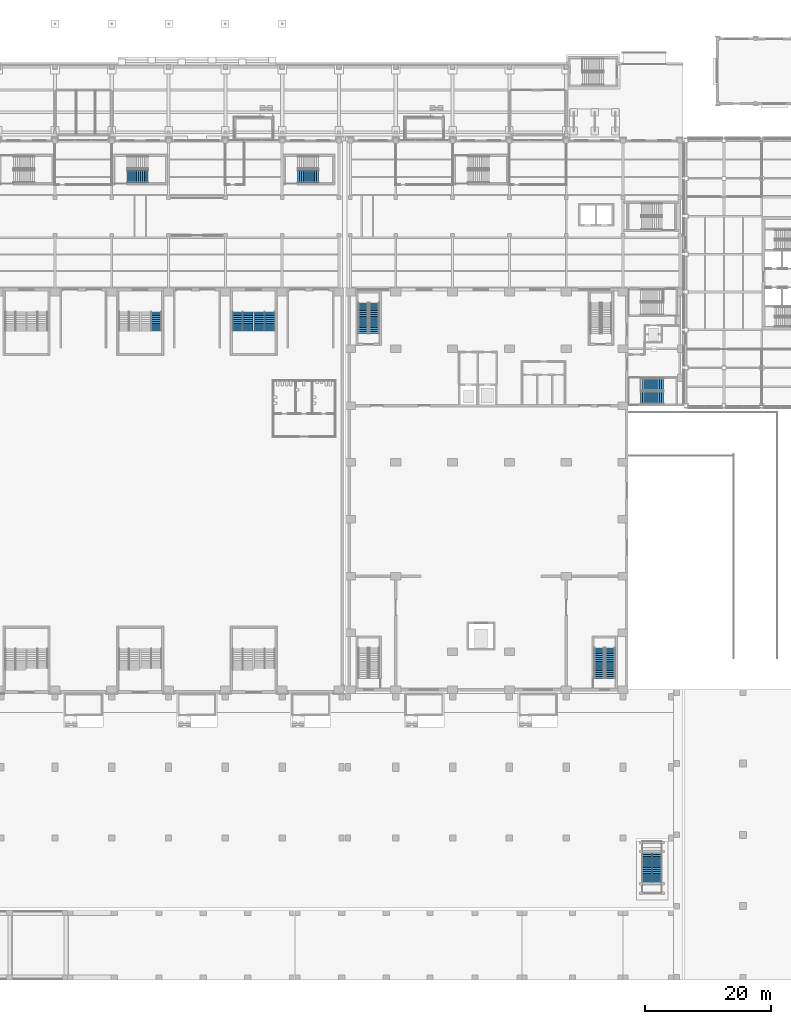
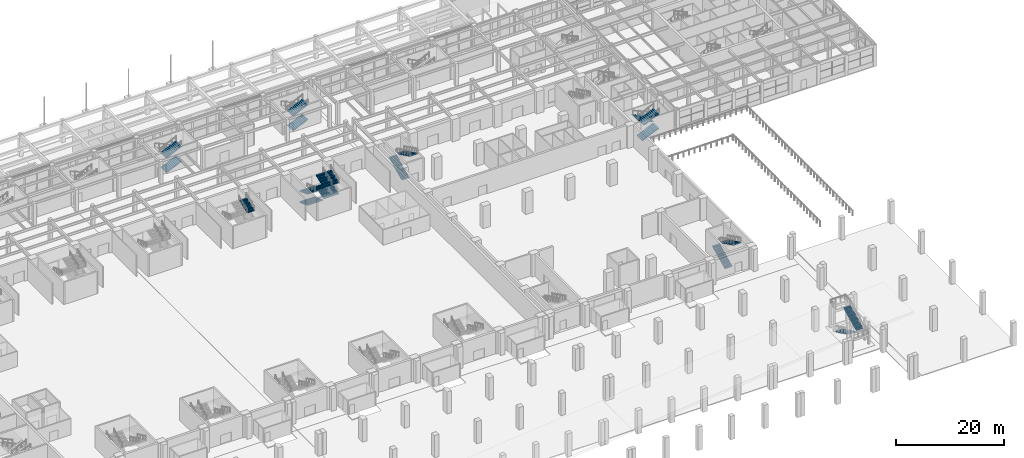
# One storey, part 58 of 77: 22 stair flights, 9 elements without a shape of their own.
"""IFC4 building model written with IfcOpenShell, lengths in metres."""

from ifc_helpers import new_model, si_unit, direction, frame, origin, place, context, subcontext, project, spatial, polyline, outline, extrude, material, type_object, element, aggregate, save


model = new_model("IFC4")

# Units and contexts
model_context = context("Model", 3, precision=1e-05, world=origin(), true_north=direction((0.0, 1.0)))
body_context = subcontext(model_context, "Body", "Model", "MODEL_VIEW")
ifc_project = project(units=[si_unit("LENGTHUNIT", "METRE"), si_unit("AREAUNIT", "SQUARE_METRE"), si_unit("VOLUMEUNIT", "CUBIC_METRE"), si_unit("PLANEANGLEUNIT", "RADIAN"), si_unit("MASSUNIT", "GRAM", prefix="KILO")], contexts=[model_context])

# Site, building, storey
site_placement = place(None, origin())
site = spatial("IfcSite", under=ifc_project, at=site_placement, CompositionType="ELEMENT")
building_placement = place(site_placement, origin())
building = spatial("IfcBuilding", under=site, at=building_placement, Name="Aravalli Gate Trade Fair Centre", CompositionType="ELEMENT")
storey_placement = place(building_placement, origin())
storey = spatial("IfcBuildingStorey", under=building, at=storey_placement, Name="L00", CompositionType="ELEMENT", Elevation=0.0)

# Stair, stair flights
ifc_material_1 = material(Name="Concrete M30", Category="concrete")
stair_type_1 = type_object("IfcStairType", Name="Concourse stair, 2000 wide", PredefinedType="HALF_TURN_STAIR", material=ifc_material_1)
stair_1_placement = place(storey_placement, origin())
stair_1 = element("IfcStair", 1, at=stair_1_placement, inside=storey, type_object=stair_type_1, Name="Stair XC L00", PredefinedType="HALF_TURN_STAIR")
stair_flight_type_1 = type_object("IfcStairFlightType", Name="Concourse stair flight 2000", PredefinedType="STRAIGHT", material=ifc_material_1)
stair_flight_1_placement = place(storey_placement, frame((71.449951171875, 127.300048828125, 0.0), z_axis=(0.0, 0.0, 1.0), x_axis=(1.0, 0.0, 0.0)))
stair_flight_1 = element("IfcStairFlight", 2, at=stair_flight_1_placement, type_object=stair_flight_type_1, Name="STXC-L00 flight 1", NumberOfRisers=12, NumberOfTreads=11, PredefinedType="STRAIGHT", RiserHeight=0.138888889, TreadLength=0.3, context=body_context, shape_type="SweptSolid", body=[
    extrude(outline(polyline([(0.0, 0.0), (0.0, 0.138916015625), (0.300048828125, 0.138916015625), (0.300048828125, 0.27783203125), (0.60009765625, 0.27783203125), (0.60009765625, 0.416748046875), (0.89990234375, 0.416748046875), (0.89990234375, 0.5556640625), (1.199951171875, 0.5556640625), (1.199951171875, 0.6943359375), (1.5, 0.6943359375), (1.5, 0.833251953125), (1.800048828125, 0.833251953125), (1.800048828125, 0.97216796875), (2.10009765625, 0.97216796875), (2.10009765625, 1.111083984375), (2.39990234375, 1.111083984375), (2.39990234375, 1.25), (2.699951171875, 1.25), (2.699951171875, 1.388916015625), (3.0, 1.388916015625), (3.0, 1.52783203125), (3.300048828125, 1.52783203125), (3.300048828125, 1.666748046875), (3.300048828125, 1.307373046875), (0.475830078125, 0.0), (0.0, 0.0)])), frame((0.0, 1.0, 0.0), z_axis=(0.0, -1.0, 0.0), x_axis=(1.0, 0.0, 0.0)), (0.0, 0.0, 1.0), 2.0),
])
stair_flight_2_placement = place(storey_placement, frame((71.449951171875, 127.300048828125, 3.333251953125), z_axis=(0.0, 0.0, 1.0), x_axis=(1.0, 0.0, 0.0)))
stair_flight_2 = element("IfcStairFlight", 3, at=stair_flight_2_placement, type_object=stair_flight_type_1, Name="STXC-L00 flight 3", NumberOfRisers=12, NumberOfTreads=11, PredefinedType="STRAIGHT", RiserHeight=0.138888889, TreadLength=0.3, context=body_context, shape_type="SweptSolid", body=[
    extrude(outline(polyline([(0.0, 0.0), (0.0, 0.138916015625), (0.300048828125, 0.138916015625), (0.300048828125, 0.27783203125), (0.60009765625, 0.27783203125), (0.60009765625, 0.416748046875), (0.89990234375, 0.416748046875), (0.89990234375, 0.5556640625), (1.199951171875, 0.5556640625), (1.199951171875, 0.6943359375), (1.5, 0.6943359375), (1.5, 0.833251953125), (1.800048828125, 0.833251953125), (1.800048828125, 0.97216796875), (2.10009765625, 0.97216796875), (2.10009765625, 1.111083984375), (2.39990234375, 1.111083984375), (2.39990234375, 1.25), (2.699951171875, 1.25), (2.699951171875, 1.388916015625), (3.0, 1.388916015625), (3.0, 1.52783203125), (3.300048828125, 1.52783203125), (3.300048828125, 1.666748046875), (3.300048828125, 1.307373046875), (0.475830078125, 0.0), (0.0, 0.0)])), frame((0.0, 1.0, 0.0), z_axis=(0.0, -1.0, 0.0), x_axis=(1.0, 0.0, 0.0)), (0.0, 0.0, 1.0), 2.0),
])
aggregate(stair_1, [stair_flight_1, stair_flight_2])

stair_2_placement = place(storey_placement, origin())
stair_2 = element("IfcStair", 4, at=stair_2_placement, inside=storey, type_object=stair_type_1, Name="Stair XD L00", PredefinedType="HALF_TURN_STAIR")
stair_flight_3_placement = place(storey_placement, frame((98.449951171875, 127.300048828125, 0.0), z_axis=(0.0, 0.0, 1.0), x_axis=(1.0, 0.0, 0.0)))
stair_flight_3 = element("IfcStairFlight", 5, at=stair_flight_3_placement, type_object=stair_flight_type_1, Name="STXD-L00 flight 1", NumberOfRisers=12, NumberOfTreads=11, PredefinedType="STRAIGHT", RiserHeight=0.138888889, TreadLength=0.3, context=body_context, shape_type="SweptSolid", body=[
    extrude(outline(polyline([(0.0, 0.0), (0.0, 0.138916015625), (0.300048828125, 0.138916015625), (0.300048828125, 0.27783203125), (0.60009765625, 0.27783203125), (0.60009765625, 0.416748046875), (0.89990234375, 0.416748046875), (0.89990234375, 0.5556640625), (1.199951171875, 0.5556640625), (1.199951171875, 0.6943359375), (1.5, 0.6943359375), (1.5, 0.833251953125), (1.800048828125, 0.833251953125), (1.800048828125, 0.97216796875), (2.10009765625, 0.97216796875), (2.10009765625, 1.111083984375), (2.39990234375, 1.111083984375), (2.39990234375, 1.25), (2.699951171875, 1.25), (2.699951171875, 1.388916015625), (3.0, 1.388916015625), (3.0, 1.52783203125), (3.300048828125, 1.52783203125), (3.300048828125, 1.666748046875), (3.300048828125, 1.307373046875), (0.475830078125, 0.0), (0.0, 0.0)])), frame((0.0, 1.0, 0.0), z_axis=(0.0, -1.0, 0.0), x_axis=(1.0, 0.0, 0.0)), (0.0, 0.0, 1.0), 2.0),
])
stair_flight_4_placement = place(storey_placement, frame((98.449951171875, 127.300048828125, 3.333251953125), z_axis=(0.0, 0.0, 1.0), x_axis=(1.0, 0.0, 0.0)))
stair_flight_4 = element("IfcStairFlight", 6, at=stair_flight_4_placement, type_object=stair_flight_type_1, Name="STXD-L00 flight 3", NumberOfRisers=12, NumberOfTreads=11, PredefinedType="STRAIGHT", RiserHeight=0.138888889, TreadLength=0.3, context=body_context, shape_type="SweptSolid", body=[
    extrude(outline(polyline([(0.0, 0.0), (0.0, 0.138916015625), (0.300048828125, 0.138916015625), (0.300048828125, 0.27783203125), (0.60009765625, 0.27783203125), (0.60009765625, 0.416748046875), (0.89990234375, 0.416748046875), (0.89990234375, 0.5556640625), (1.199951171875, 0.5556640625), (1.199951171875, 0.6943359375), (1.5, 0.6943359375), (1.5, 0.833251953125), (1.800048828125, 0.833251953125), (1.800048828125, 0.97216796875), (2.10009765625, 0.97216796875), (2.10009765625, 1.111083984375), (2.39990234375, 1.111083984375), (2.39990234375, 1.25), (2.699951171875, 1.25), (2.699951171875, 1.388916015625), (3.0, 1.388916015625), (3.0, 1.52783203125), (3.300048828125, 1.52783203125), (3.300048828125, 1.666748046875), (3.300048828125, 1.307373046875), (0.475830078125, 0.0), (0.0, 0.0)])), frame((0.0, 1.0, 0.0), z_axis=(0.0, -1.0, 0.0), x_axis=(1.0, 0.0, 0.0)), (0.0, 0.0, 1.0), 2.0),
])
aggregate(stair_2, [stair_flight_3, stair_flight_4])

ifc_material_2 = material(Name="Concrete M45", Category="concrete")
stair_type_2 = type_object("IfcStairType", Name="Congress exit stair", PredefinedType="HALF_TURN_STAIR", material=ifc_material_2)
stair_3_placement = place(storey_placement, origin())
stair_3 = element("IfcStair", 7, at=stair_3_placement, inside=storey, type_object=stair_type_2, Name="Stage Stair East L00", PredefinedType="HALF_TURN_STAIR")
stair_flight_type_2 = type_object("IfcStairFlightType", Name="Congress exit stair flight", PredefinedType="STRAIGHT", material=ifc_material_2)
stair_flight_5_placement = place(storey_placement, frame((146.199951171875, 47.800048828125, 0.0), z_axis=(0.0, 0.0, 1.0), x_axis=(0.0, 1.0, 0.0)))
stair_flight_5 = element("IfcStairFlight", 8, at=stair_flight_5_placement, type_object=stair_flight_type_2, Name="GX2 flight 1", NumberOfRisers=17, NumberOfTreads=16, PredefinedType="STRAIGHT", RiserHeight=0.147058824, TreadLength=0.3, context=body_context, shape_type="SweptSolid", body=[
    extrude(outline(polyline([(0.0, 0.0), (0.0, 0.14697265625), (0.300048828125, 0.14697265625), (0.300048828125, 0.294189453125), (0.60009765625, 0.294189453125), (0.60009765625, 0.441162109375), (0.89990234375, 0.441162109375), (0.89990234375, 0.588134765625), (1.199951171875, 0.588134765625), (1.199951171875, 0.7353515625), (1.5, 0.7353515625), (1.5, 0.88232421875), (1.800048828125, 0.88232421875), (1.800048828125, 1.029296875), (2.10009765625, 1.029296875), (2.10009765625, 1.176513671875), (2.39990234375, 1.176513671875), (2.39990234375, 1.323486328125), (2.699951171875, 1.323486328125), (2.699951171875, 1.470703125), (3.0, 1.470703125), (3.0, 1.61767578125), (3.300048828125, 1.61767578125), (3.300048828125, 1.7646484375), (3.60009765625, 1.7646484375), (3.60009765625, 1.911865234375), (3.89990234375, 1.911865234375), (3.89990234375, 2.058837890625), (4.199951171875, 2.058837890625), (4.199951171875, 2.205810546875), (4.5, 2.205810546875), (4.5, 2.35302734375), (4.800048828125, 2.35302734375), (4.800048828125, 2.5), (4.800048828125, 2.18603515625), (0.340576171875, 0.0), (0.0, 0.0)])), frame((0.0, 0.800048828125, 0.0), z_axis=(0.0, -1.0, 0.0), x_axis=(1.0, 0.0, 0.0)), (0.0, 0.0, 1.0), 1.60009765625),
])
stair_flight_6_placement = place(storey_placement, frame((148.0, 52.60009765625, 2.5), z_axis=(0.0, 0.0, 1.0), x_axis=(0.0, -1.0, 0.0)))
stair_flight_6 = element("IfcStairFlight", 9, at=stair_flight_6_placement, type_object=stair_flight_type_2, Name="GX2 flight 2", NumberOfRisers=17, NumberOfTreads=16, PredefinedType="STRAIGHT", RiserHeight=0.147058824, TreadLength=0.3, context=body_context, shape_type="SweptSolid", body=[
    extrude(outline(polyline([(0.0, 0.0), (0.0, 0.14697265625), (0.300048828125, 0.14697265625), (0.300048828125, 0.294189453125), (0.60009765625, 0.294189453125), (0.60009765625, 0.441162109375), (0.89990234375, 0.441162109375), (0.89990234375, 0.588134765625), (1.199951171875, 0.588134765625), (1.199951171875, 0.7353515625), (1.5, 0.7353515625), (1.5, 0.88232421875), (1.800048828125, 0.88232421875), (1.800048828125, 1.029296875), (2.10009765625, 1.029296875), (2.10009765625, 1.176513671875), (2.39990234375, 1.176513671875), (2.39990234375, 1.323486328125), (2.699951171875, 1.323486328125), (2.699951171875, 1.470703125), (3.0, 1.470703125), (3.0, 1.61767578125), (3.300048828125, 1.61767578125), (3.300048828125, 1.7646484375), (3.60009765625, 1.7646484375), (3.60009765625, 1.911865234375), (3.89990234375, 1.911865234375), (3.89990234375, 2.058837890625), (4.199951171875, 2.058837890625), (4.199951171875, 2.205810546875), (4.5, 2.205810546875), (4.5, 2.35302734375), (4.800048828125, 2.35302734375), (4.800048828125, 2.5), (4.800048828125, 2.18603515625), (0.340576171875, 0.0), (0.0, 0.0)])), frame((0.0, 0.800048828125, 0.0), z_axis=(0.0, -1.0, 0.0), x_axis=(1.0, 0.0, 0.0)), (0.0, 0.0, 1.0), 1.60009765625),
])
aggregate(stair_3, [stair_flight_5, stair_flight_6])

stair_4_placement = place(storey_placement, origin())
stair_4 = element("IfcStair", 10, at=stair_4_placement, inside=storey, type_object=stair_type_2, Name="Foyer Stair West L00", PredefinedType="HALF_TURN_STAIR")
stair_flight_7_placement = place(storey_placement, frame((108.800048828125, 102.449951171875, 0.0), z_axis=(0.0, 0.0, 1.0), x_axis=(0.0, 1.0, 0.0)))
stair_flight_7 = element("IfcStairFlight", 11, at=stair_flight_7_placement, type_object=stair_flight_type_2, Name="GX3 flight 1", NumberOfRisers=17, NumberOfTreads=16, PredefinedType="STRAIGHT", RiserHeight=0.147058824, TreadLength=0.3, context=body_context, shape_type="SweptSolid", body=[
    extrude(outline(polyline([(0.0, 0.0), (0.0, 0.14697265625), (0.300048828125, 0.14697265625), (0.300048828125, 0.294189453125), (0.60009765625, 0.294189453125), (0.60009765625, 0.441162109375), (0.89990234375, 0.441162109375), (0.89990234375, 0.588134765625), (1.199951171875, 0.588134765625), (1.199951171875, 0.7353515625), (1.5, 0.7353515625), (1.5, 0.88232421875), (1.800048828125, 0.88232421875), (1.800048828125, 1.029296875), (2.10009765625, 1.029296875), (2.10009765625, 1.176513671875), (2.39990234375, 1.176513671875), (2.39990234375, 1.323486328125), (2.699951171875, 1.323486328125), (2.699951171875, 1.470703125), (3.0, 1.470703125), (3.0, 1.61767578125), (3.300048828125, 1.61767578125), (3.300048828125, 1.7646484375), (3.60009765625, 1.7646484375), (3.60009765625, 1.911865234375), (3.89990234375, 1.911865234375), (3.89990234375, 2.058837890625), (4.199951171875, 2.058837890625), (4.199951171875, 2.205810546875), (4.5, 2.205810546875), (4.5, 2.35302734375), (4.800048828125, 2.35302734375), (4.800048828125, 2.5), (4.800048828125, 2.18603515625), (0.340576171875, 0.0), (0.0, 0.0)])), frame((0.0, 0.800048828125, 0.0), z_axis=(0.0, -1.0, 0.0), x_axis=(1.0, 0.0, 0.0)), (0.0, 0.0, 1.0), 1.60009765625),
])
stair_flight_8_placement = place(storey_placement, frame((110.60009765625, 107.25, 2.5), z_axis=(0.0, 0.0, 1.0), x_axis=(0.0, -1.0, 0.0)))
stair_flight_8 = element("IfcStairFlight", 12, at=stair_flight_8_placement, type_object=stair_flight_type_2, Name="GX3 flight 2", NumberOfRisers=17, NumberOfTreads=16, PredefinedType="STRAIGHT", RiserHeight=0.147058824, TreadLength=0.3, context=body_context, shape_type="SweptSolid", body=[
    extrude(outline(polyline([(0.0, 0.0), (0.0, 0.14697265625), (0.300048828125, 0.14697265625), (0.300048828125, 0.294189453125), (0.60009765625, 0.294189453125), (0.60009765625, 0.441162109375), (0.89990234375, 0.441162109375), (0.89990234375, 0.588134765625), (1.199951171875, 0.588134765625), (1.199951171875, 0.7353515625), (1.5, 0.7353515625), (1.5, 0.88232421875), (1.800048828125, 0.88232421875), (1.800048828125, 1.029296875), (2.10009765625, 1.029296875), (2.10009765625, 1.176513671875), (2.39990234375, 1.176513671875), (2.39990234375, 1.323486328125), (2.699951171875, 1.323486328125), (2.699951171875, 1.470703125), (3.0, 1.470703125), (3.0, 1.61767578125), (3.300048828125, 1.61767578125), (3.300048828125, 1.7646484375), (3.60009765625, 1.7646484375), (3.60009765625, 1.911865234375), (3.89990234375, 1.911865234375), (3.89990234375, 2.058837890625), (4.199951171875, 2.058837890625), (4.199951171875, 2.205810546875), (4.5, 2.205810546875), (4.5, 2.35302734375), (4.800048828125, 2.35302734375), (4.800048828125, 2.5), (4.800048828125, 2.18603515625), (0.340576171875, 0.0), (0.0, 0.0)])), frame((0.0, 0.800048828125, 0.0), z_axis=(0.0, -1.0, 0.0), x_axis=(1.0, 0.0, 0.0)), (0.0, 0.0, 1.0), 1.60009765625),
])
aggregate(stair_4, [stair_flight_7, stair_flight_8])

stair_type_3 = type_object("IfcStairType", Name="External stair 1500", PredefinedType="HALF_TURN_STAIR", material=ifc_material_2)
stair_5_placement = place(storey_placement, origin())
stair_5 = element("IfcStair", 13, at=stair_5_placement, inside=storey, type_object=stair_type_3, Name="External stair 2 L00", PredefinedType="HALF_TURN_STAIR")
stair_flight_type_3 = type_object("IfcStairFlightType", Name="External stair flight 1500", PredefinedType="STRAIGHT", material=ifc_material_2)
stair_flight_9_placement = place(storey_placement, frame((153.75, 20.199951171875, 0.0), z_axis=(0.0, 0.0, 1.0), x_axis=(0.0, -1.0, 0.0)))
stair_flight_9 = element("IfcStairFlight", 14, at=stair_flight_9_placement, type_object=stair_flight_type_3, Name="SST4 flight 1", NumberOfRisers=17, NumberOfTreads=16, PredefinedType="STRAIGHT", RiserHeight=0.147058824, TreadLength=0.3, context=body_context, shape_type="SweptSolid", body=[
    extrude(outline(polyline([(0.0, 0.0), (0.0, 0.14697265625), (0.300048828125, 0.14697265625), (0.300048828125, 0.294189453125), (0.60009765625, 0.294189453125), (0.60009765625, 0.441162109375), (0.89990234375, 0.441162109375), (0.89990234375, 0.588134765625), (1.199951171875, 0.588134765625), (1.199951171875, 0.7353515625), (1.5, 0.7353515625), (1.5, 0.88232421875), (1.800048828125, 0.88232421875), (1.800048828125, 1.029296875), (2.10009765625, 1.029296875), (2.10009765625, 1.176513671875), (2.39990234375, 1.176513671875), (2.39990234375, 1.323486328125), (2.699951171875, 1.323486328125), (2.699951171875, 1.470703125), (3.0, 1.470703125), (3.0, 1.61767578125), (3.300048828125, 1.61767578125), (3.300048828125, 1.7646484375), (3.60009765625, 1.7646484375), (3.60009765625, 1.911865234375), (3.89990234375, 1.911865234375), (3.89990234375, 2.058837890625), (4.199951171875, 2.058837890625), (4.199951171875, 2.205810546875), (4.5, 2.205810546875), (4.5, 2.35302734375), (4.800048828125, 2.35302734375), (4.800048828125, 2.5), (4.800048828125, 2.18603515625), (0.340576171875, 0.0), (0.0, 0.0)])), frame((0.0, 0.75, 0.0), z_axis=(0.0, -1.0, 0.0), x_axis=(1.0, 0.0, 0.0)), (0.0, 0.0, 1.0), 1.5),
])
stair_flight_10_placement = place(storey_placement, frame((155.449951171875, 15.39990234375, 2.5), z_axis=(0.0, 0.0, 1.0), x_axis=(0.0, 1.0, 0.0)))
stair_flight_10 = element("IfcStairFlight", 15, at=stair_flight_10_placement, type_object=stair_flight_type_3, Name="SST4 flight 2", NumberOfRisers=17, NumberOfTreads=16, PredefinedType="STRAIGHT", RiserHeight=0.147058824, TreadLength=0.3, context=body_context, shape_type="SweptSolid", body=[
    extrude(outline(polyline([(0.0, 0.0), (0.0, 0.14697265625), (0.300048828125, 0.14697265625), (0.300048828125, 0.294189453125), (0.60009765625, 0.294189453125), (0.60009765625, 0.441162109375), (0.89990234375, 0.441162109375), (0.89990234375, 0.588134765625), (1.199951171875, 0.588134765625), (1.199951171875, 0.7353515625), (1.5, 0.7353515625), (1.5, 0.88232421875), (1.800048828125, 0.88232421875), (1.800048828125, 1.029296875), (2.10009765625, 1.029296875), (2.10009765625, 1.176513671875), (2.39990234375, 1.176513671875), (2.39990234375, 1.323486328125), (2.699951171875, 1.323486328125), (2.699951171875, 1.470703125), (3.0, 1.470703125), (3.0, 1.61767578125), (3.300048828125, 1.61767578125), (3.300048828125, 1.7646484375), (3.60009765625, 1.7646484375), (3.60009765625, 1.911865234375), (3.89990234375, 1.911865234375), (3.89990234375, 2.058837890625), (4.199951171875, 2.058837890625), (4.199951171875, 2.205810546875), (4.5, 2.205810546875), (4.5, 2.35302734375), (4.800048828125, 2.35302734375), (4.800048828125, 2.5), (4.800048828125, 2.18603515625), (0.340576171875, 0.0), (0.0, 0.0)])), frame((0.0, 0.75, 0.0), z_axis=(0.0, -1.0, 0.0), x_axis=(1.0, 0.0, 0.0)), (0.0, 0.0, 1.0), 1.5),
])
aggregate(stair_5, [stair_flight_9, stair_flight_10])

# Stair, stair flight
ifc_material_3 = material(Name="Concrete M40", Category="concrete")
stair_type_4 = type_object("IfcStairType", Name="Hall exit stair, four flights", PredefinedType="HALF_TURN_STAIR", material=ifc_material_3)
stair_6_placement = place(storey_placement, origin())
stair_6 = element("IfcStair", 16, at=stair_6_placement, inside=storey, type_object=stair_type_4, Name="Exit stair ST-N08 lane B L00", PredefinedType="HALF_TURN_STAIR")
stair_flight_type_4 = type_object("IfcStairFlightType", Name="Hall exit stair flight, four flights", PredefinedType="STRAIGHT", material=ifc_material_3)
stair_flight_11_placement = place(storey_placement, frame((76.080078125, 102.85009765625, 3.75), z_axis=(0.0, 0.0, 1.0), x_axis=(0.0, 1.0, 0.0)))
stair_flight_11 = element("IfcStairFlight", 17, at=stair_flight_11_placement, type_object=stair_flight_type_4, Name="ST-N08B flight 4", NumberOfRisers=11, NumberOfTreads=10, PredefinedType="STRAIGHT", RiserHeight=0.113636364, TreadLength=0.3, context=body_context, shape_type="SweptSolid", body=[
    extrude(outline(polyline([(0.0, 0.0), (0.0, 0.113525390625), (0.300048828125, 0.113525390625), (0.300048828125, 0.227294921875), (0.60009765625, 0.227294921875), (0.60009765625, 0.3408203125), (0.89990234375, 0.3408203125), (0.89990234375, 0.45458984375), (1.199951171875, 0.45458984375), (1.199951171875, 0.568115234375), (1.5, 0.568115234375), (1.5, 0.681884765625), (1.800048828125, 0.681884765625), (1.800048828125, 0.79541015625), (2.10009765625, 0.79541015625), (2.10009765625, 0.9091796875), (2.39990234375, 0.9091796875), (2.39990234375, 1.022705078125), (2.699951171875, 1.022705078125), (2.699951171875, 1.136474609375), (3.0, 1.136474609375), (3.0, 1.25), (3.0, 0.97607421875), (0.423095703125, 0.0), (0.0, 0.0)])), frame((0.0, 0.81982421875, 0.0), z_axis=(0.0, -1.0, 0.0), x_axis=(1.0, 0.0, 0.0)), (0.0, 0.0, 1.0), 1.639892578125),
])
aggregate(stair_6, [stair_flight_11])

# Stair, stair flights
stair_7_placement = place(storey_placement, origin())
stair_7 = element("IfcStair", 18, at=stair_7_placement, inside=storey, type_object=stair_type_4, Name="Exit stair ST-N10 lane A L00", PredefinedType="HALF_TURN_STAIR")
stair_flight_12_placement = place(storey_placement, frame((88.919921875, 105.85009765625, 0.0), z_axis=(0.0, 0.0, 1.0), x_axis=(0.0, -1.0, 0.0)))
stair_flight_12 = element("IfcStairFlight", 19, at=stair_flight_12_placement, type_object=stair_flight_type_4, Name="ST-N10A flight 1", NumberOfRisers=11, NumberOfTreads=10, PredefinedType="STRAIGHT", RiserHeight=0.113636364, TreadLength=0.3, context=body_context, shape_type="SweptSolid", body=[
    extrude(outline(polyline([(0.0, 0.0), (0.0, 0.113525390625), (0.300048828125, 0.113525390625), (0.300048828125, 0.227294921875), (0.60009765625, 0.227294921875), (0.60009765625, 0.3408203125), (0.89990234375, 0.3408203125), (0.89990234375, 0.45458984375), (1.199951171875, 0.45458984375), (1.199951171875, 0.568115234375), (1.5, 0.568115234375), (1.5, 0.681884765625), (1.800048828125, 0.681884765625), (1.800048828125, 0.79541015625), (2.10009765625, 0.79541015625), (2.10009765625, 0.9091796875), (2.39990234375, 0.9091796875), (2.39990234375, 1.022705078125), (2.699951171875, 1.022705078125), (2.699951171875, 1.136474609375), (3.0, 1.136474609375), (3.0, 1.25), (3.0, 0.97607421875), (0.423095703125, 0.0), (0.0, 0.0)])), frame((0.0, 0.81982421875, 0.0), z_axis=(0.0, -1.0, 0.0), x_axis=(1.0, 0.0, 0.0)), (0.0, 0.0, 1.0), 1.639892578125),
])
stair_flight_13_placement = place(storey_placement, frame((92.419921875, 102.85009765625, 1.25), z_axis=(0.0, 0.0, 1.0), x_axis=(0.0, 1.0, 0.0)))
stair_flight_13 = element("IfcStairFlight", 20, at=stair_flight_13_placement, type_object=stair_flight_type_4, Name="ST-N10A flight 2", NumberOfRisers=11, NumberOfTreads=10, PredefinedType="STRAIGHT", RiserHeight=0.113636364, TreadLength=0.3, context=body_context, shape_type="SweptSolid", body=[
    extrude(outline(polyline([(0.0, 0.0), (0.0, 0.113525390625), (0.300048828125, 0.113525390625), (0.300048828125, 0.227294921875), (0.60009765625, 0.227294921875), (0.60009765625, 0.3408203125), (0.89990234375, 0.3408203125), (0.89990234375, 0.45458984375), (1.199951171875, 0.45458984375), (1.199951171875, 0.568115234375), (1.5, 0.568115234375), (1.5, 0.681884765625), (1.800048828125, 0.681884765625), (1.800048828125, 0.79541015625), (2.10009765625, 0.79541015625), (2.10009765625, 0.9091796875), (2.39990234375, 0.9091796875), (2.39990234375, 1.022705078125), (2.699951171875, 1.022705078125), (2.699951171875, 1.136474609375), (3.0, 1.136474609375), (3.0, 1.25), (3.0, 0.97607421875), (0.423095703125, 0.0), (0.0, 0.0)])), frame((0.0, 0.81982421875, 0.0), z_axis=(0.0, -1.0, 0.0), x_axis=(1.0, 0.0, 0.0)), (0.0, 0.0, 1.0), 1.639892578125),
])
stair_flight_14_placement = place(storey_placement, frame((88.919921875, 105.85009765625, 2.5), z_axis=(0.0, 0.0, 1.0), x_axis=(0.0, -1.0, 0.0)))
stair_flight_14 = element("IfcStairFlight", 21, at=stair_flight_14_placement, type_object=stair_flight_type_4, Name="ST-N10A flight 3", NumberOfRisers=11, NumberOfTreads=10, PredefinedType="STRAIGHT", RiserHeight=0.113636364, TreadLength=0.3, context=body_context, shape_type="SweptSolid", body=[
    extrude(outline(polyline([(0.0, 0.0), (0.0, 0.113525390625), (0.300048828125, 0.113525390625), (0.300048828125, 0.227294921875), (0.60009765625, 0.227294921875), (0.60009765625, 0.3408203125), (0.89990234375, 0.3408203125), (0.89990234375, 0.45458984375), (1.199951171875, 0.45458984375), (1.199951171875, 0.568115234375), (1.5, 0.568115234375), (1.5, 0.681884765625), (1.800048828125, 0.681884765625), (1.800048828125, 0.79541015625), (2.10009765625, 0.79541015625), (2.10009765625, 0.9091796875), (2.39990234375, 0.9091796875), (2.39990234375, 1.022705078125), (2.699951171875, 1.022705078125), (2.699951171875, 1.136474609375), (3.0, 1.136474609375), (3.0, 1.25), (3.0, 0.97607421875), (0.423095703125, 0.0), (0.0, 0.0)])), frame((0.0, 0.81982421875, 0.0), z_axis=(0.0, -1.0, 0.0), x_axis=(1.0, 0.0, 0.0)), (0.0, 0.0, 1.0), 1.639892578125),
])
stair_flight_15_placement = place(storey_placement, frame((92.419921875, 102.85009765625, 3.75), z_axis=(0.0, 0.0, 1.0), x_axis=(0.0, 1.0, 0.0)))
stair_flight_15 = element("IfcStairFlight", 22, at=stair_flight_15_placement, type_object=stair_flight_type_4, Name="ST-N10A flight 4", NumberOfRisers=11, NumberOfTreads=10, PredefinedType="STRAIGHT", RiserHeight=0.113636364, TreadLength=0.3, context=body_context, shape_type="SweptSolid", body=[
    extrude(outline(polyline([(0.0, 0.0), (0.0, 0.113525390625), (0.300048828125, 0.113525390625), (0.300048828125, 0.227294921875), (0.60009765625, 0.227294921875), (0.60009765625, 0.3408203125), (0.89990234375, 0.3408203125), (0.89990234375, 0.45458984375), (1.199951171875, 0.45458984375), (1.199951171875, 0.568115234375), (1.5, 0.568115234375), (1.5, 0.681884765625), (1.800048828125, 0.681884765625), (1.800048828125, 0.79541015625), (2.10009765625, 0.79541015625), (2.10009765625, 0.9091796875), (2.39990234375, 0.9091796875), (2.39990234375, 1.022705078125), (2.699951171875, 1.022705078125), (2.699951171875, 1.136474609375), (3.0, 1.136474609375), (3.0, 1.25), (3.0, 0.97607421875), (0.423095703125, 0.0), (0.0, 0.0)])), frame((0.0, 0.81982421875, 0.0), z_axis=(0.0, -1.0, 0.0), x_axis=(1.0, 0.0, 0.0)), (0.0, 0.0, 1.0), 1.639892578125),
])
aggregate(stair_7, [stair_flight_12, stair_flight_13, stair_flight_14, stair_flight_15])

stair_8_placement = place(storey_placement, origin())
stair_8 = element("IfcStair", 23, at=stair_8_placement, inside=storey, type_object=stair_type_4, Name="Exit stair ST-N10 lane B L00", PredefinedType="HALF_TURN_STAIR")
stair_flight_16_placement = place(storey_placement, frame((90.580078125, 105.85009765625, 0.0), z_axis=(0.0, 0.0, 1.0), x_axis=(0.0, -1.0, 0.0)))
stair_flight_16 = element("IfcStairFlight", 24, at=stair_flight_16_placement, type_object=stair_flight_type_4, Name="ST-N10B flight 1", NumberOfRisers=11, NumberOfTreads=10, PredefinedType="STRAIGHT", RiserHeight=0.113636364, TreadLength=0.3, context=body_context, shape_type="SweptSolid", body=[
    extrude(outline(polyline([(0.0, 0.0), (0.0, 0.113525390625), (0.300048828125, 0.113525390625), (0.300048828125, 0.227294921875), (0.60009765625, 0.227294921875), (0.60009765625, 0.3408203125), (0.89990234375, 0.3408203125), (0.89990234375, 0.45458984375), (1.199951171875, 0.45458984375), (1.199951171875, 0.568115234375), (1.5, 0.568115234375), (1.5, 0.681884765625), (1.800048828125, 0.681884765625), (1.800048828125, 0.79541015625), (2.10009765625, 0.79541015625), (2.10009765625, 0.9091796875), (2.39990234375, 0.9091796875), (2.39990234375, 1.022705078125), (2.699951171875, 1.022705078125), (2.699951171875, 1.136474609375), (3.0, 1.136474609375), (3.0, 1.25), (3.0, 0.97607421875), (0.423095703125, 0.0), (0.0, 0.0)])), frame((0.0, 0.81982421875, 0.0), z_axis=(0.0, -1.0, 0.0), x_axis=(1.0, 0.0, 0.0)), (0.0, 0.0, 1.0), 1.639892578125),
])
stair_flight_17_placement = place(storey_placement, frame((94.080078125, 102.85009765625, 1.25), z_axis=(0.0, 0.0, 1.0), x_axis=(0.0, 1.0, 0.0)))
stair_flight_17 = element("IfcStairFlight", 25, at=stair_flight_17_placement, type_object=stair_flight_type_4, Name="ST-N10B flight 2", NumberOfRisers=11, NumberOfTreads=10, PredefinedType="STRAIGHT", RiserHeight=0.113636364, TreadLength=0.3, context=body_context, shape_type="SweptSolid", body=[
    extrude(outline(polyline([(0.0, 0.0), (0.0, 0.113525390625), (0.300048828125, 0.113525390625), (0.300048828125, 0.227294921875), (0.60009765625, 0.227294921875), (0.60009765625, 0.3408203125), (0.89990234375, 0.3408203125), (0.89990234375, 0.45458984375), (1.199951171875, 0.45458984375), (1.199951171875, 0.568115234375), (1.5, 0.568115234375), (1.5, 0.681884765625), (1.800048828125, 0.681884765625), (1.800048828125, 0.79541015625), (2.10009765625, 0.79541015625), (2.10009765625, 0.9091796875), (2.39990234375, 0.9091796875), (2.39990234375, 1.022705078125), (2.699951171875, 1.022705078125), (2.699951171875, 1.136474609375), (3.0, 1.136474609375), (3.0, 1.25), (3.0, 0.97607421875), (0.423095703125, 0.0), (0.0, 0.0)])), frame((0.0, 0.81982421875, 0.0), z_axis=(0.0, -1.0, 0.0), x_axis=(1.0, 0.0, 0.0)), (0.0, 0.0, 1.0), 1.639892578125),
])
stair_flight_18_placement = place(storey_placement, frame((90.580078125, 105.85009765625, 2.5), z_axis=(0.0, 0.0, 1.0), x_axis=(0.0, -1.0, 0.0)))
stair_flight_18 = element("IfcStairFlight", 26, at=stair_flight_18_placement, type_object=stair_flight_type_4, Name="ST-N10B flight 3", NumberOfRisers=11, NumberOfTreads=10, PredefinedType="STRAIGHT", RiserHeight=0.113636364, TreadLength=0.3, context=body_context, shape_type="SweptSolid", body=[
    extrude(outline(polyline([(0.0, 0.0), (0.0, 0.113525390625), (0.300048828125, 0.113525390625), (0.300048828125, 0.227294921875), (0.60009765625, 0.227294921875), (0.60009765625, 0.3408203125), (0.89990234375, 0.3408203125), (0.89990234375, 0.45458984375), (1.199951171875, 0.45458984375), (1.199951171875, 0.568115234375), (1.5, 0.568115234375), (1.5, 0.681884765625), (1.800048828125, 0.681884765625), (1.800048828125, 0.79541015625), (2.10009765625, 0.79541015625), (2.10009765625, 0.9091796875), (2.39990234375, 0.9091796875), (2.39990234375, 1.022705078125), (2.699951171875, 1.022705078125), (2.699951171875, 1.136474609375), (3.0, 1.136474609375), (3.0, 1.25), (3.0, 0.97607421875), (0.423095703125, 0.0), (0.0, 0.0)])), frame((0.0, 0.81982421875, 0.0), z_axis=(0.0, -1.0, 0.0), x_axis=(1.0, 0.0, 0.0)), (0.0, 0.0, 1.0), 1.639892578125),
])
stair_flight_19_placement = place(storey_placement, frame((94.080078125, 102.85009765625, 3.75), z_axis=(0.0, 0.0, 1.0), x_axis=(0.0, 1.0, 0.0)))
stair_flight_19 = element("IfcStairFlight", 27, at=stair_flight_19_placement, type_object=stair_flight_type_4, Name="ST-N10B flight 4", NumberOfRisers=11, NumberOfTreads=10, PredefinedType="STRAIGHT", RiserHeight=0.113636364, TreadLength=0.3, context=body_context, shape_type="SweptSolid", body=[
    extrude(outline(polyline([(0.0, 0.0), (0.0, 0.113525390625), (0.300048828125, 0.113525390625), (0.300048828125, 0.227294921875), (0.60009765625, 0.227294921875), (0.60009765625, 0.3408203125), (0.89990234375, 0.3408203125), (0.89990234375, 0.45458984375), (1.199951171875, 0.45458984375), (1.199951171875, 0.568115234375), (1.5, 0.568115234375), (1.5, 0.681884765625), (1.800048828125, 0.681884765625), (1.800048828125, 0.79541015625), (2.10009765625, 0.79541015625), (2.10009765625, 0.9091796875), (2.39990234375, 0.9091796875), (2.39990234375, 1.022705078125), (2.699951171875, 1.022705078125), (2.699951171875, 1.136474609375), (3.0, 1.136474609375), (3.0, 1.25), (3.0, 0.97607421875), (0.423095703125, 0.0), (0.0, 0.0)])), frame((0.0, 0.81982421875, 0.0), z_axis=(0.0, -1.0, 0.0), x_axis=(1.0, 0.0, 0.0)), (0.0, 0.0, 1.0), 1.639892578125),
])
aggregate(stair_8, [stair_flight_16, stair_flight_17, stair_flight_18, stair_flight_19])

stair_type_5 = type_object("IfcStairType", Name="Wing core stair", PredefinedType="HALF_TURN_STAIR", material=ifc_material_1)
stair_9_placement = place(storey_placement, origin())
stair_9 = element("IfcStair", 28, at=stair_9_placement, inside=storey, type_object=stair_type_5, Name="Stair LA L00", PredefinedType="HALF_TURN_STAIR")
stair_flight_type_5 = type_object("IfcStairFlightType", Name="Wing core stair flight", PredefinedType="STRAIGHT", material=ifc_material_1)
stair_flight_20_placement = place(storey_placement, frame((152.800048828125, 92.25, 0.0), z_axis=(0.0, 0.0, 1.0), x_axis=(1.0, 0.0, 0.0)))
stair_flight_20 = element("IfcStairFlight", 29, at=stair_flight_20_placement, type_object=stair_flight_type_5, Name="TST1 flight 1", NumberOfRisers=12, NumberOfTreads=11, PredefinedType="STRAIGHT", RiserHeight=0.147058824, TreadLength=0.327, context=body_context, shape_type="SweptSolid", body=[
    extrude(outline(polyline([(0.0, 0.0), (0.0, 0.14697265625), (0.326904296875, 0.14697265625), (0.326904296875, 0.294189453125), (0.654052734375, 0.294189453125), (0.654052734375, 0.441162109375), (0.98095703125, 0.441162109375), (0.98095703125, 0.588134765625), (1.30810546875, 0.588134765625), (1.30810546875, 0.7353515625), (1.635009765625, 0.7353515625), (1.635009765625, 0.88232421875), (1.9619140625, 0.88232421875), (1.9619140625, 1.029296875), (2.2890625, 1.029296875), (2.2890625, 1.176513671875), (2.615966796875, 1.176513671875), (2.615966796875, 1.323486328125), (2.943115234375, 1.323486328125), (2.943115234375, 1.470703125), (3.27001953125, 1.470703125), (3.27001953125, 1.61767578125), (3.596923828125, 1.61767578125), (3.596923828125, 1.7646484375), (3.596923828125, 1.475341796875), (0.316650390625, 0.0), (0.0, 0.0)])), frame((0.0, 1.0, 0.0), z_axis=(0.0, -1.0, 0.0), x_axis=(1.0, 0.0, 0.0)), (0.0, 0.0, 1.0), 2.0),
])
stair_flight_21_placement = place(storey_placement, frame((156.39697265625, 94.35009765625, 1.7646484375), z_axis=(0.0, 0.0, 1.0), x_axis=(-1.0, 0.0, 0.0)))
stair_flight_21 = element("IfcStairFlight", 30, at=stair_flight_21_placement, type_object=stair_flight_type_5, Name="TST1 flight 2", NumberOfRisers=11, NumberOfTreads=10, PredefinedType="STRAIGHT", RiserHeight=0.147058824, TreadLength=0.327, context=body_context, shape_type="SweptSolid", body=[
    extrude(outline(polyline([(0.0, 0.0), (0.0, 0.14697265625), (0.326904296875, 0.14697265625), (0.326904296875, 0.294189453125), (0.654052734375, 0.294189453125), (0.654052734375, 0.441162109375), (0.98095703125, 0.441162109375), (0.98095703125, 0.588134765625), (1.30810546875, 0.588134765625), (1.30810546875, 0.7353515625), (1.635009765625, 0.7353515625), (1.635009765625, 0.88232421875), (1.9619140625, 0.88232421875), (1.9619140625, 1.029296875), (2.2890625, 1.029296875), (2.2890625, 1.176513671875), (2.615966796875, 1.176513671875), (2.615966796875, 1.323486328125), (2.943115234375, 1.323486328125), (2.943115234375, 1.470703125), (3.27001953125, 1.470703125), (3.27001953125, 1.61767578125), (3.27001953125, 1.328125), (0.316650390625, 0.0), (0.0, 0.0)])), frame((0.0, 1.0, 0.0), z_axis=(0.0, -1.0, 0.0), x_axis=(1.0, 0.0, 0.0)), (0.0, 0.0, 1.0), 2.0),
])
stair_flight_22_placement = place(storey_placement, frame((153.126953125, 92.25, 3.38232421875), z_axis=(0.0, 0.0, 1.0), x_axis=(1.0, 0.0, 0.0)))
stair_flight_22 = element("IfcStairFlight", 31, at=stair_flight_22_placement, type_object=stair_flight_type_5, Name="TST1 flight 3", NumberOfRisers=11, NumberOfTreads=10, PredefinedType="STRAIGHT", RiserHeight=0.147058824, TreadLength=0.327, context=body_context, shape_type="SweptSolid", body=[
    extrude(outline(polyline([(0.0, 0.0), (0.0, 0.14697265625), (0.326904296875, 0.14697265625), (0.326904296875, 0.294189453125), (0.654052734375, 0.294189453125), (0.654052734375, 0.441162109375), (0.98095703125, 0.441162109375), (0.98095703125, 0.588134765625), (1.30810546875, 0.588134765625), (1.30810546875, 0.7353515625), (1.635009765625, 0.7353515625), (1.635009765625, 0.88232421875), (1.9619140625, 0.88232421875), (1.9619140625, 1.029296875), (2.2890625, 1.029296875), (2.2890625, 1.176513671875), (2.615966796875, 1.176513671875), (2.615966796875, 1.323486328125), (2.943115234375, 1.323486328125), (2.943115234375, 1.470703125), (3.27001953125, 1.470703125), (3.27001953125, 1.61767578125), (3.27001953125, 1.328125), (0.316650390625, 0.0), (0.0, 0.0)])), frame((0.0, 1.0, 0.0), z_axis=(0.0, -1.0, 0.0), x_axis=(1.0, 0.0, 0.0)), (0.0, 0.0, 1.0), 2.0),
])
aggregate(stair_9, [stair_flight_20, stair_flight_21, stair_flight_22])

save(model, "model.ifc")
